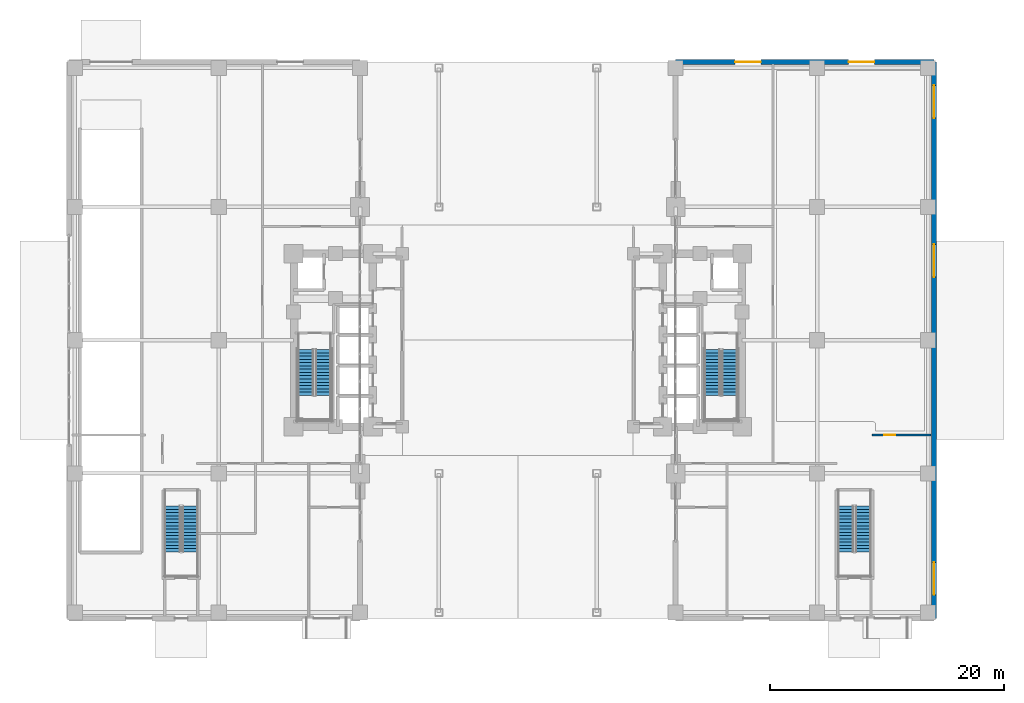
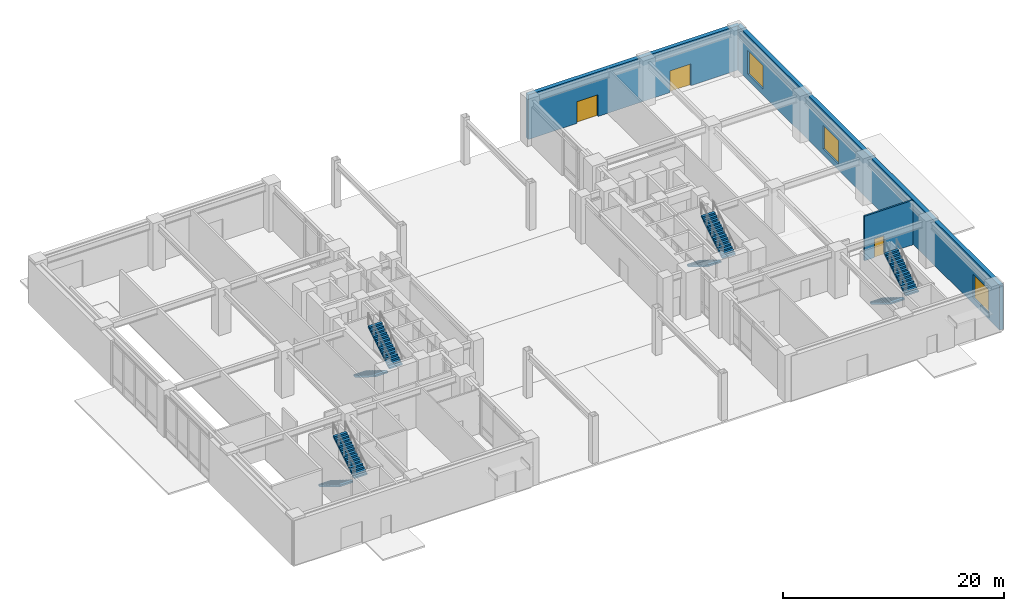
# One storey, part 20 of 23: 8 stair flights, 3 doors, 3 walls, 3 windows, 6 openings, 4 elements without a shape of their own.
"""IFC4 building model written with IfcOpenShell, lengths in metres."""

from ifc_helpers import new_model, si_unit, direction, frame, frame_2d, origin, place, context, subcontext, project, spatial, polyline, rectangle, outline, extrude, material, layer, layer_set, type_object, element, fill, aggregate, save


model = new_model("IFC4")

# Units and contexts
model_context = context("Model", 3, precision=1e-05, world=origin(), true_north=direction((0.0, 1.0)))
body_context = subcontext(model_context, "Body", "Model", "MODEL_VIEW")
ifc_project = project(units=[si_unit("LENGTHUNIT", "METRE"), si_unit("AREAUNIT", "SQUARE_METRE"), si_unit("VOLUMEUNIT", "CUBIC_METRE"), si_unit("PLANEANGLEUNIT", "RADIAN"), si_unit("MASSUNIT", "GRAM", prefix="KILO")], contexts=[model_context])

# Site, building, storey
site_placement = place(None, origin())
site = spatial("IfcSite", under=ifc_project, at=site_placement, CompositionType="ELEMENT")
building_placement = place(site_placement, origin())
building = spatial("IfcBuilding", under=site, at=building_placement, Name="Voryun Gate Residences", CompositionType="ELEMENT")
storey_placement = place(building_placement, origin())
storey = spatial("IfcBuildingStorey", under=building, at=storey_placement, Name="L00", CompositionType="ELEMENT", Elevation=0.0)

# Wall, opening, door
ifc_material_1 = material(Name="Gypsum acoustic fireboard")
ifc_layer_1 = layer(ifc_material_1, 0.179931640625, Name="W_CORR_RATED_180")
ifc_layer_set_1 = layer_set([ifc_layer_1], Name="Gypsum acoustic fireboard")
wall_type_1 = type_object("IfcWallType", Name="W_CORR_RATED_180", PredefinedType="PARTITIONING", material=ifc_layer_set_1)
wall_1_placement = place(storey_placement, frame((30.300048828125, -8.10009765625, 0.0), z_axis=(0.0, 0.0, 1.0), x_axis=(1.0, 0.0, 0.0)))
wall_1 = element("IfcWall", 1, at=wall_1_placement, inside=storey, type_object=wall_type_1, Name="Partition wall WP-L00-ECS1", PredefinedType="PARTITIONING", context=body_context, shape_type="SweptSolid", body=[
    extrude(rectangle(XDim=5.050048828125, YDim=0.179931640625, at=frame_2d((2.52490234375, 0.0))), origin(), (0.0, 0.0, 1.0), 4.919921875),
])
opening_1_placement = place(wall_1_placement, frame((1.0400390625, 0.0, 0.0)))
opening_1 = element("IfcOpeningElement", 2, at=opening_1_placement, cuts=wall_1, Name="Opening D-INT-1", PredefinedType="OPENING", context=body_context, shape_type="SweptSolid", body=[
    extrude(rectangle(XDim=0.949951171875, YDim=2.050048828125, at=frame_2d((0.47509765625, 1.02490234375))), frame((0.0, 0.099853515625, 0.0), z_axis=(0.0, -1.0, 0.0), x_axis=(1.0, 0.0, 0.0)), (0.0, 0.0, 1.0), 0.199951171875),
])
ifc_material_2 = material(Name="Architectural oak veneer")
door_type_1 = type_object("IfcDoorType", Name="DR_INT_ROOM_950", OperationType="NOTDEFINED", PredefinedType="DOOR", material=ifc_material_2)
door_1_placement = place(opening_1_placement, origin())
door_1 = element("IfcDoor", 3, at=door_1_placement, inside=storey, type_object=door_type_1, Name="Door DR-L00-ED3B", OperationType="SINGLE_SWING_RIGHT", OverallHeight=2.050048828125, OverallWidth=0.949951171875, PredefinedType="DOOR", context=body_context, shape_type="SweptSolid", body=[
    extrude(rectangle(XDim=0.949951171875, YDim=2.050048828125, at=frame_2d((0.47509765625, 1.02490234375))), frame((0.0, 0.02490234375, 0.0), z_axis=(0.0, -1.0, 0.0), x_axis=(1.0, 0.0, 0.0)), (0.0, 0.0, 1.0), 0.050048828125),
])
fill(opening_1, door_1)

# Wall, openings, windows
ifc_material_3 = material(Name="Granite masonry", Category="masonry")
ifc_layer_2 = layer(ifc_material_3, 0.419921875, Name="W_EXT_PODIUM_420")
ifc_layer_set_2 = layer_set([ifc_layer_2], Name="Granite masonry")
wall_type_2 = type_object("IfcWallType", Name="W_EXT_PODIUM_420", PredefinedType="ELEMENTEDWALL", material=ifc_layer_set_2)
wall_2_placement = place(storey_placement, frame((35.60009765625, -23.800048828125, 0.0), z_axis=(0.0, 0.0, 1.0), x_axis=(0.0, 1.0, 0.0)))
wall_2 = element("IfcWall", 4, at=wall_2_placement, inside=storey, type_object=wall_type_2, Name="Exterior wall WEP-L00-EP-2", PredefinedType="ELEMENTEDWALL", context=body_context, shape_type="SweptSolid", body=[
    extrude(rectangle(XDim=47.60009765625, YDim=0.419921875, at=frame_2d((23.800048828125, 0.0))), origin(), (0.0, 0.0, 1.0), 4.919921875),
])
opening_2_placement = place(wall_2_placement, frame((2.0, 0.0, 0.64990234375)))
opening_2 = element("IfcOpeningElement", 5, at=opening_2_placement, cuts=wall_2, Name="Opening WN5", PredefinedType="OPENING", context=body_context, shape_type="SweptSolid", body=[
    extrude(rectangle(XDim=2.800048828125, YDim=2.60009765625, at=frame_2d((1.39990234375, 1.300048828125))), frame((0.0, 0.219970703125, 0.0), z_axis=(0.0, -1.0, 0.0), x_axis=(1.0, 0.0, 0.0)), (0.0, 0.0, 1.0), 0.43994140625),
])
opening_3_placement = place(wall_2_placement, frame((29.199951171875, 0.0, 0.64990234375)))
opening_3 = element("IfcOpeningElement", 6, at=opening_3_placement, cuts=wall_2, Name="Opening WN5", PredefinedType="OPENING", context=body_context, shape_type="SweptSolid", body=[
    extrude(rectangle(XDim=2.800048828125, YDim=2.60009765625, at=frame_2d((1.39990234375, 1.300048828125))), frame((0.0, 0.219970703125, 0.0), z_axis=(0.0, -1.0, 0.0), x_axis=(1.0, 0.0, 0.0)), (0.0, 0.0, 1.0), 0.43994140625),
])
opening_4_placement = place(wall_2_placement, frame((42.800048828125, 0.0, 0.64990234375)))
opening_4 = element("IfcOpeningElement", 7, at=opening_4_placement, cuts=wall_2, Name="Opening WN5", PredefinedType="OPENING", context=body_context, shape_type="SweptSolid", body=[
    extrude(rectangle(XDim=2.800048828125, YDim=2.60009765625, at=frame_2d((1.39990234375, 1.300048828125))), frame((0.0, 0.219970703125, 0.0), z_axis=(0.0, -1.0, 0.0), x_axis=(1.0, 0.0, 0.0)), (0.0, 0.0, 1.0), 0.43994140625),
])
ifc_material_4 = material(Name="Laminated low-E glass", Category="glass")
window_type = type_object("IfcWindowType", Name="WN_POD_GALLERY_2800", PartitioningType="SINGLE_PANEL", PredefinedType="WINDOW", material=ifc_material_4)
window_1_placement = place(opening_2_placement, origin())
window_1 = element("IfcWindow", 8, at=window_1_placement, inside=storey, type_object=window_type, Name="Window WN-L00-EP-2-01", OverallHeight=2.60009765625, OverallWidth=2.800048828125, PartitioningType="SINGLE_PANEL", PredefinedType="WINDOW", context=body_context, shape_type="SweptSolid", body=[
    extrude(rectangle(XDim=2.800048828125, YDim=2.60009765625, at=frame_2d((1.39990234375, 1.300048828125))), frame((0.0, 0.030029296875, 0.0), z_axis=(0.0, -1.0, 0.0), x_axis=(1.0, 0.0, 0.0)), (0.0, 0.0, 1.0), 0.06005859375),
])
fill(opening_2, window_1)
window_2_placement = place(opening_3_placement, origin())
window_2 = element("IfcWindow", 9, at=window_2_placement, inside=storey, type_object=window_type, Name="Window WN-L00-EP-2-05", OverallHeight=2.60009765625, OverallWidth=2.800048828125, PartitioningType="SINGLE_PANEL", PredefinedType="WINDOW", context=body_context, shape_type="SweptSolid", body=[
    extrude(rectangle(XDim=2.800048828125, YDim=2.60009765625, at=frame_2d((1.39990234375, 1.300048828125))), frame((0.0, 0.030029296875, 0.0), z_axis=(0.0, -1.0, 0.0), x_axis=(1.0, 0.0, 0.0)), (0.0, 0.0, 1.0), 0.06005859375),
])
fill(opening_3, window_2)
window_3_placement = place(opening_4_placement, origin())
window_3 = element("IfcWindow", 10, at=window_3_placement, inside=storey, type_object=window_type, Name="Window WN-L00-EP-2-07", OverallHeight=2.60009765625, OverallWidth=2.800048828125, PartitioningType="SINGLE_PANEL", PredefinedType="WINDOW", context=body_context, shape_type="SweptSolid", body=[
    extrude(rectangle(XDim=2.800048828125, YDim=2.60009765625, at=frame_2d((1.39990234375, 1.300048828125))), frame((0.0, 0.030029296875, 0.0), z_axis=(0.0, -1.0, 0.0), x_axis=(1.0, 0.0, 0.0)), (0.0, 0.0, 1.0), 0.06005859375),
])
fill(opening_4, window_3)

# Wall, openings, doors
wall_3_placement = place(storey_placement, frame((35.60009765625, 23.800048828125, 0.0), z_axis=(0.0, 0.0, 1.0), x_axis=(-1.0, 0.0, 0.0)))
wall_3 = element("IfcWall", 11, at=wall_3_placement, inside=storey, type_object=wall_type_2, Name="Exterior wall WEP-L00-EP-3", PredefinedType="ELEMENTEDWALL", context=body_context, shape_type="SweptSolid", body=[
    extrude(rectangle(XDim=22.10009765625, YDim=0.419921875, at=frame_2d((11.050048828125, 0.0))), origin(), (0.0, 0.0, 1.0), 4.919921875),
])
opening_5_placement = place(wall_3_placement, frame((5.087890625, 0.0, 0.0)))
opening_5 = element("IfcOpeningElement", 12, at=opening_5_placement, cuts=wall_3, Name="Opening D-LOB-1", PredefinedType="OPENING", context=body_context, shape_type="SweptSolid", body=[
    extrude(rectangle(XDim=2.199951171875, YDim=2.39990234375, at=frame_2d((1.10009765625, 1.199951171875))), frame((0.0, 0.219970703125, 0.0), z_axis=(0.0, -1.0, 0.0), x_axis=(1.0, 0.0, 0.0)), (0.0, 0.0, 1.0), 0.43994140625),
])
opening_6_placement = place(wall_3_placement, frame((14.81201171875, 0.0, 0.0)))
opening_6 = element("IfcOpeningElement", 13, at=opening_6_placement, cuts=wall_3, Name="Opening D-LOB-1", PredefinedType="OPENING", context=body_context, shape_type="SweptSolid", body=[
    extrude(rectangle(XDim=2.199951171875, YDim=2.39990234375, at=frame_2d((1.10009765625, 1.199951171875))), frame((0.0, 0.219970703125, 0.0), z_axis=(0.0, -1.0, 0.0), x_axis=(1.0, 0.0, 0.0)), (0.0, 0.0, 1.0), 0.43994140625),
])
ifc_material_5 = material(Name="Dark bronze aluminium and low-E glass", Category="aluminium")
door_type_2 = type_object("IfcDoorType", Name="DR_LOBBY_PORTAL_2200", OperationType="NOTDEFINED", PredefinedType="DOOR", material=ifc_material_5)
door_2_placement = place(opening_5_placement, origin())
door_2 = element("IfcDoor", 14, at=door_2_placement, inside=storey, type_object=door_type_2, Name="Door DR-L00-EP-E2-1", OperationType="DOUBLE_DOOR_SINGLE_SWING", OverallHeight=2.39990234375, OverallWidth=2.199951171875, PredefinedType="DOOR", context=body_context, shape_type="SweptSolid", body=[
    extrude(rectangle(XDim=2.199951171875, YDim=2.39990234375, at=frame_2d((1.10009765625, 1.199951171875))), frame((0.0, 0.02490234375, 0.0), z_axis=(0.0, -1.0, 0.0), x_axis=(1.0, 0.0, 0.0)), (0.0, 0.0, 1.0), 0.050048828125),
])
fill(opening_5, door_2)
door_3_placement = place(opening_6_placement, origin())
door_3 = element("IfcDoor", 15, at=door_3_placement, inside=storey, type_object=door_type_2, Name="Door DR-L00-EP-E2-2", OperationType="DOUBLE_DOOR_SINGLE_SWING", OverallHeight=2.39990234375, OverallWidth=2.199951171875, PredefinedType="DOOR", context=body_context, shape_type="SweptSolid", body=[
    extrude(rectangle(XDim=2.199951171875, YDim=2.39990234375, at=frame_2d((1.10009765625, 1.199951171875))), frame((0.0, 0.02490234375, 0.0), z_axis=(0.0, -1.0, 0.0), x_axis=(1.0, 0.0, 0.0)), (0.0, 0.0, 1.0), 0.050048828125),
])
fill(opening_6, door_3)

# Stair, stair flights
ifc_material_6 = material(Name="Concrete C40/50", Category="concrete")
stair_type_1 = type_object("IfcStairType", Name="STR_CORE_DOGLEG_1350", PredefinedType="HALF_TURN_STAIR", material=ifc_material_6)
stair_1_placement = place(storey_placement, origin())
stair_1 = element("IfcStair", 16, at=stair_1_placement, inside=storey, type_object=stair_type_1, Name="L00 Special Escape Stair ST-W1", PredefinedType="HALF_TURN_STAIR")
ifc_material_7 = material(Name="Concrete C40/50", Category="concrete")
stair_flight_type_1 = type_object("IfcStairFlightType", Name="FLT_CORE_1350", PredefinedType="STRAIGHT", material=ifc_material_7)
stair_flight_1_placement = place(storey_placement, frame((-18.14990234375, -0.800048828125, 0.0), z_axis=(0.0, 0.0, 1.0), x_axis=(0.0, -1.0, 0.0)))
stair_flight_1 = element("IfcStairFlight", 17, at=stair_flight_1_placement, type_object=stair_flight_type_1, Name="ST-W1 flight 1", NumberOfRisers=15, NumberOfTreads=14, PredefinedType="STRAIGHT", RiserHeight=0.173333333, TreadLength=0.28, context=body_context, shape_type="SweptSolid", body=[
    extrude(outline(polyline([(0.0, 0.0), (0.0, 0.17333984375), (0.280029296875, 0.17333984375), (0.280029296875, 0.3466796875), (0.56005859375, 0.3466796875), (0.56005859375, 0.52001953125), (0.840087890625, 0.52001953125), (0.840087890625, 0.693359375), (1.1201171875, 0.693359375), (1.1201171875, 0.86669921875), (1.39990234375, 0.86669921875), (1.39990234375, 1.0400390625), (1.679931640625, 1.0400390625), (1.679931640625, 1.21337890625), (1.9599609375, 1.21337890625), (1.9599609375, 1.38671875), (2.239990234375, 1.38671875), (2.239990234375, 1.56005859375), (2.52001953125, 1.56005859375), (2.52001953125, 1.7333984375), (2.800048828125, 1.7333984375), (2.800048828125, 1.90673828125), (3.080078125, 1.90673828125), (3.080078125, 2.080078125), (3.360107421875, 2.080078125), (3.360107421875, 2.25341796875), (3.639892578125, 2.25341796875), (3.639892578125, 2.4267578125), (3.919921875, 2.4267578125), (3.919921875, 2.60009765625), (3.919921875, 2.250244140625), (0.284912109375, 0.0), (0.0, 0.0)])), frame((0.0, 0.675048828125, 0.0), z_axis=(0.0, -1.0, 0.0), x_axis=(1.0, 0.0, 0.0)), (0.0, 0.0, 1.0), 1.35009765625),
])
stair_flight_2_placement = place(storey_placement, frame((-16.64990234375, -4.719970703125, 2.60009765625), z_axis=(0.0, 0.0, 1.0), x_axis=(0.0, 1.0, 0.0)))
stair_flight_2 = element("IfcStairFlight", 18, at=stair_flight_2_placement, type_object=stair_flight_type_1, Name="ST-W1 flight 2", NumberOfRisers=15, NumberOfTreads=14, PredefinedType="STRAIGHT", RiserHeight=0.173333333, TreadLength=0.28, context=body_context, shape_type="SweptSolid", body=[
    extrude(outline(polyline([(0.0, 0.0), (0.0, 0.17333984375), (0.280029296875, 0.17333984375), (0.280029296875, 0.3466796875), (0.56005859375, 0.3466796875), (0.56005859375, 0.52001953125), (0.840087890625, 0.52001953125), (0.840087890625, 0.693359375), (1.1201171875, 0.693359375), (1.1201171875, 0.86669921875), (1.39990234375, 0.86669921875), (1.39990234375, 1.0400390625), (1.679931640625, 1.0400390625), (1.679931640625, 1.21337890625), (1.9599609375, 1.21337890625), (1.9599609375, 1.38671875), (2.239990234375, 1.38671875), (2.239990234375, 1.56005859375), (2.52001953125, 1.56005859375), (2.52001953125, 1.7333984375), (2.800048828125, 1.7333984375), (2.800048828125, 1.90673828125), (3.080078125, 1.90673828125), (3.080078125, 2.080078125), (3.360107421875, 2.080078125), (3.360107421875, 2.25341796875), (3.639892578125, 2.25341796875), (3.639892578125, 2.4267578125), (3.919921875, 2.4267578125), (3.919921875, 2.60009765625), (3.919921875, 2.250244140625), (0.284912109375, 0.0), (0.0, 0.0)])), frame((0.0, 0.675048828125, 0.0), z_axis=(0.0, -1.0, 0.0), x_axis=(1.0, 0.0, 0.0)), (0.0, 0.0, 1.0), 1.35009765625),
])
aggregate(stair_1, [stair_flight_1, stair_flight_2])

stair_2_placement = place(storey_placement, origin())
stair_2 = element("IfcStair", 19, at=stair_2_placement, inside=storey, type_object=stair_type_1, Name="L00 Special Escape Stair ST-E1", PredefinedType="HALF_TURN_STAIR")
stair_flight_3_placement = place(storey_placement, frame((16.64990234375, -0.800048828125, 0.0), z_axis=(0.0, 0.0, 1.0), x_axis=(0.0, -1.0, 0.0)))
stair_flight_3 = element("IfcStairFlight", 20, at=stair_flight_3_placement, type_object=stair_flight_type_1, Name="ST-E1 flight 1", NumberOfRisers=15, NumberOfTreads=14, PredefinedType="STRAIGHT", RiserHeight=0.173333333, TreadLength=0.28, context=body_context, shape_type="SweptSolid", body=[
    extrude(outline(polyline([(0.0, 0.0), (0.0, 0.17333984375), (0.280029296875, 0.17333984375), (0.280029296875, 0.3466796875), (0.56005859375, 0.3466796875), (0.56005859375, 0.52001953125), (0.840087890625, 0.52001953125), (0.840087890625, 0.693359375), (1.1201171875, 0.693359375), (1.1201171875, 0.86669921875), (1.39990234375, 0.86669921875), (1.39990234375, 1.0400390625), (1.679931640625, 1.0400390625), (1.679931640625, 1.21337890625), (1.9599609375, 1.21337890625), (1.9599609375, 1.38671875), (2.239990234375, 1.38671875), (2.239990234375, 1.56005859375), (2.52001953125, 1.56005859375), (2.52001953125, 1.7333984375), (2.800048828125, 1.7333984375), (2.800048828125, 1.90673828125), (3.080078125, 1.90673828125), (3.080078125, 2.080078125), (3.360107421875, 2.080078125), (3.360107421875, 2.25341796875), (3.639892578125, 2.25341796875), (3.639892578125, 2.4267578125), (3.919921875, 2.4267578125), (3.919921875, 2.60009765625), (3.919921875, 2.250244140625), (0.284912109375, 0.0), (0.0, 0.0)])), frame((0.0, 0.675048828125, 0.0), z_axis=(0.0, -1.0, 0.0), x_axis=(1.0, 0.0, 0.0)), (0.0, 0.0, 1.0), 1.35009765625),
])
stair_flight_4_placement = place(storey_placement, frame((18.14990234375, -4.719970703125, 2.60009765625), z_axis=(0.0, 0.0, 1.0), x_axis=(0.0, 1.0, 0.0)))
stair_flight_4 = element("IfcStairFlight", 21, at=stair_flight_4_placement, type_object=stair_flight_type_1, Name="ST-E1 flight 2", NumberOfRisers=15, NumberOfTreads=14, PredefinedType="STRAIGHT", RiserHeight=0.173333333, TreadLength=0.28, context=body_context, shape_type="SweptSolid", body=[
    extrude(outline(polyline([(0.0, 0.0), (0.0, 0.17333984375), (0.280029296875, 0.17333984375), (0.280029296875, 0.3466796875), (0.56005859375, 0.3466796875), (0.56005859375, 0.52001953125), (0.840087890625, 0.52001953125), (0.840087890625, 0.693359375), (1.1201171875, 0.693359375), (1.1201171875, 0.86669921875), (1.39990234375, 0.86669921875), (1.39990234375, 1.0400390625), (1.679931640625, 1.0400390625), (1.679931640625, 1.21337890625), (1.9599609375, 1.21337890625), (1.9599609375, 1.38671875), (2.239990234375, 1.38671875), (2.239990234375, 1.56005859375), (2.52001953125, 1.56005859375), (2.52001953125, 1.7333984375), (2.800048828125, 1.7333984375), (2.800048828125, 1.90673828125), (3.080078125, 1.90673828125), (3.080078125, 2.080078125), (3.360107421875, 2.080078125), (3.360107421875, 2.25341796875), (3.639892578125, 2.25341796875), (3.639892578125, 2.4267578125), (3.919921875, 2.4267578125), (3.919921875, 2.60009765625), (3.919921875, 2.250244140625), (0.284912109375, 0.0), (0.0, 0.0)])), frame((0.0, 0.675048828125, 0.0), z_axis=(0.0, -1.0, 0.0), x_axis=(1.0, 0.0, 0.0)), (0.0, 0.0, 1.0), 1.35009765625),
])
aggregate(stair_2, [stair_flight_3, stair_flight_4])

ifc_material_8 = material(Name="Concrete C40/50", Category="concrete")
stair_type_2 = type_object("IfcStairType", Name="STR_CROWN_DOGLEG_1250", PredefinedType="HALF_TURN_STAIR", material=ifc_material_8)
stair_3_placement = place(storey_placement, origin())
stair_3 = element("IfcStair", 22, at=stair_3_placement, inside=storey, type_object=stair_type_2, Name="L00 Special Escape Stair ST-P1", PredefinedType="HALF_TURN_STAIR")
ifc_material_9 = material(Name="Concrete C40/50", Category="concrete")
stair_flight_type_2 = type_object("IfcStairFlightType", Name="FLT_CROWN_1250", PredefinedType="STRAIGHT", material=ifc_material_9)
stair_flight_5_placement = place(storey_placement, frame((-29.550048828125, -14.199951171875, 0.0), z_axis=(0.0, 0.0, 1.0), x_axis=(0.0, -1.0, 0.0)))
stair_flight_5 = element("IfcStairFlight", 23, at=stair_flight_5_placement, type_object=stair_flight_type_2, Name="ST-P1 flight 1", NumberOfRisers=15, NumberOfTreads=14, PredefinedType="STRAIGHT", RiserHeight=0.173333333, TreadLength=0.28, context=body_context, shape_type="SweptSolid", body=[
    extrude(outline(polyline([(0.0, 0.0), (0.0, 0.17333984375), (0.280029296875, 0.17333984375), (0.280029296875, 0.3466796875), (0.56005859375, 0.3466796875), (0.56005859375, 0.52001953125), (0.840087890625, 0.52001953125), (0.840087890625, 0.693359375), (1.1201171875, 0.693359375), (1.1201171875, 0.86669921875), (1.39990234375, 0.86669921875), (1.39990234375, 1.0400390625), (1.679931640625, 1.0400390625), (1.679931640625, 1.21337890625), (1.9599609375, 1.21337890625), (1.9599609375, 1.38671875), (2.239990234375, 1.38671875), (2.239990234375, 1.56005859375), (2.52001953125, 1.56005859375), (2.52001953125, 1.7333984375), (2.800048828125, 1.7333984375), (2.800048828125, 1.90673828125), (3.080078125, 1.90673828125), (3.080078125, 2.080078125), (3.360107421875, 2.080078125), (3.360107421875, 2.25341796875), (3.639892578125, 2.25341796875), (3.639892578125, 2.4267578125), (3.919921875, 2.4267578125), (3.919921875, 2.60009765625), (3.919921875, 2.250244140625), (0.284912109375, 0.0), (0.0, 0.0)])), frame((0.0, 0.675048828125, 0.0), z_axis=(0.0, -1.0, 0.0), x_axis=(1.0, 0.0, 0.0)), (0.0, 0.0, 1.0), 1.35009765625),
])
stair_flight_6_placement = place(storey_placement, frame((-28.050048828125, -18.1201171875, 2.60009765625), z_axis=(0.0, 0.0, 1.0), x_axis=(0.0, 1.0, 0.0)))
stair_flight_6 = element("IfcStairFlight", 24, at=stair_flight_6_placement, type_object=stair_flight_type_2, Name="ST-P1 flight 2", NumberOfRisers=15, NumberOfTreads=14, PredefinedType="STRAIGHT", RiserHeight=0.173333333, TreadLength=0.28, context=body_context, shape_type="SweptSolid", body=[
    extrude(outline(polyline([(0.0, 0.0), (0.0, 0.17333984375), (0.280029296875, 0.17333984375), (0.280029296875, 0.3466796875), (0.56005859375, 0.3466796875), (0.56005859375, 0.52001953125), (0.840087890625, 0.52001953125), (0.840087890625, 0.693359375), (1.1201171875, 0.693359375), (1.1201171875, 0.86669921875), (1.39990234375, 0.86669921875), (1.39990234375, 1.0400390625), (1.679931640625, 1.0400390625), (1.679931640625, 1.21337890625), (1.9599609375, 1.21337890625), (1.9599609375, 1.38671875), (2.239990234375, 1.38671875), (2.239990234375, 1.56005859375), (2.52001953125, 1.56005859375), (2.52001953125, 1.7333984375), (2.800048828125, 1.7333984375), (2.800048828125, 1.90673828125), (3.080078125, 1.90673828125), (3.080078125, 2.080078125), (3.360107421875, 2.080078125), (3.360107421875, 2.25341796875), (3.639892578125, 2.25341796875), (3.639892578125, 2.4267578125), (3.919921875, 2.4267578125), (3.919921875, 2.60009765625), (3.919921875, 2.250244140625), (0.284912109375, 0.0), (0.0, 0.0)])), frame((0.0, 0.675048828125, 0.0), z_axis=(0.0, -1.0, 0.0), x_axis=(1.0, 0.0, 0.0)), (0.0, 0.0, 1.0), 1.35009765625),
])
aggregate(stair_3, [stair_flight_5, stair_flight_6])

stair_4_placement = place(storey_placement, origin())
stair_4 = element("IfcStair", 25, at=stair_4_placement, inside=storey, type_object=stair_type_2, Name="L00 Special Escape Stair ST-P2", PredefinedType="HALF_TURN_STAIR")
stair_flight_7_placement = place(storey_placement, frame((28.050048828125, -14.199951171875, 0.0), z_axis=(0.0, 0.0, 1.0), x_axis=(0.0, -1.0, 0.0)))
stair_flight_7 = element("IfcStairFlight", 26, at=stair_flight_7_placement, type_object=stair_flight_type_2, Name="ST-P2 flight 1", NumberOfRisers=15, NumberOfTreads=14, PredefinedType="STRAIGHT", RiserHeight=0.173333333, TreadLength=0.28, context=body_context, shape_type="SweptSolid", body=[
    extrude(outline(polyline([(0.0, 0.0), (0.0, 0.17333984375), (0.280029296875, 0.17333984375), (0.280029296875, 0.3466796875), (0.56005859375, 0.3466796875), (0.56005859375, 0.52001953125), (0.840087890625, 0.52001953125), (0.840087890625, 0.693359375), (1.1201171875, 0.693359375), (1.1201171875, 0.86669921875), (1.39990234375, 0.86669921875), (1.39990234375, 1.0400390625), (1.679931640625, 1.0400390625), (1.679931640625, 1.21337890625), (1.9599609375, 1.21337890625), (1.9599609375, 1.38671875), (2.239990234375, 1.38671875), (2.239990234375, 1.56005859375), (2.52001953125, 1.56005859375), (2.52001953125, 1.7333984375), (2.800048828125, 1.7333984375), (2.800048828125, 1.90673828125), (3.080078125, 1.90673828125), (3.080078125, 2.080078125), (3.360107421875, 2.080078125), (3.360107421875, 2.25341796875), (3.639892578125, 2.25341796875), (3.639892578125, 2.4267578125), (3.919921875, 2.4267578125), (3.919921875, 2.60009765625), (3.919921875, 2.250244140625), (0.284912109375, 0.0), (0.0, 0.0)])), frame((0.0, 0.675048828125, 0.0), z_axis=(0.0, -1.0, 0.0), x_axis=(1.0, 0.0, 0.0)), (0.0, 0.0, 1.0), 1.35009765625),
])
stair_flight_8_placement = place(storey_placement, frame((29.550048828125, -18.1201171875, 2.60009765625), z_axis=(0.0, 0.0, 1.0), x_axis=(0.0, 1.0, 0.0)))
stair_flight_8 = element("IfcStairFlight", 27, at=stair_flight_8_placement, type_object=stair_flight_type_2, Name="ST-P2 flight 2", NumberOfRisers=15, NumberOfTreads=14, PredefinedType="STRAIGHT", RiserHeight=0.173333333, TreadLength=0.28, context=body_context, shape_type="SweptSolid", body=[
    extrude(outline(polyline([(0.0, 0.0), (0.0, 0.17333984375), (0.280029296875, 0.17333984375), (0.280029296875, 0.3466796875), (0.56005859375, 0.3466796875), (0.56005859375, 0.52001953125), (0.840087890625, 0.52001953125), (0.840087890625, 0.693359375), (1.1201171875, 0.693359375), (1.1201171875, 0.86669921875), (1.39990234375, 0.86669921875), (1.39990234375, 1.0400390625), (1.679931640625, 1.0400390625), (1.679931640625, 1.21337890625), (1.9599609375, 1.21337890625), (1.9599609375, 1.38671875), (2.239990234375, 1.38671875), (2.239990234375, 1.56005859375), (2.52001953125, 1.56005859375), (2.52001953125, 1.7333984375), (2.800048828125, 1.7333984375), (2.800048828125, 1.90673828125), (3.080078125, 1.90673828125), (3.080078125, 2.080078125), (3.360107421875, 2.080078125), (3.360107421875, 2.25341796875), (3.639892578125, 2.25341796875), (3.639892578125, 2.4267578125), (3.919921875, 2.4267578125), (3.919921875, 2.60009765625), (3.919921875, 2.250244140625), (0.284912109375, 0.0), (0.0, 0.0)])), frame((0.0, 0.675048828125, 0.0), z_axis=(0.0, -1.0, 0.0), x_axis=(1.0, 0.0, 0.0)), (0.0, 0.0, 1.0), 1.35009765625),
])
aggregate(stair_4, [stair_flight_7, stair_flight_8])

save(model, "model.ifc")
